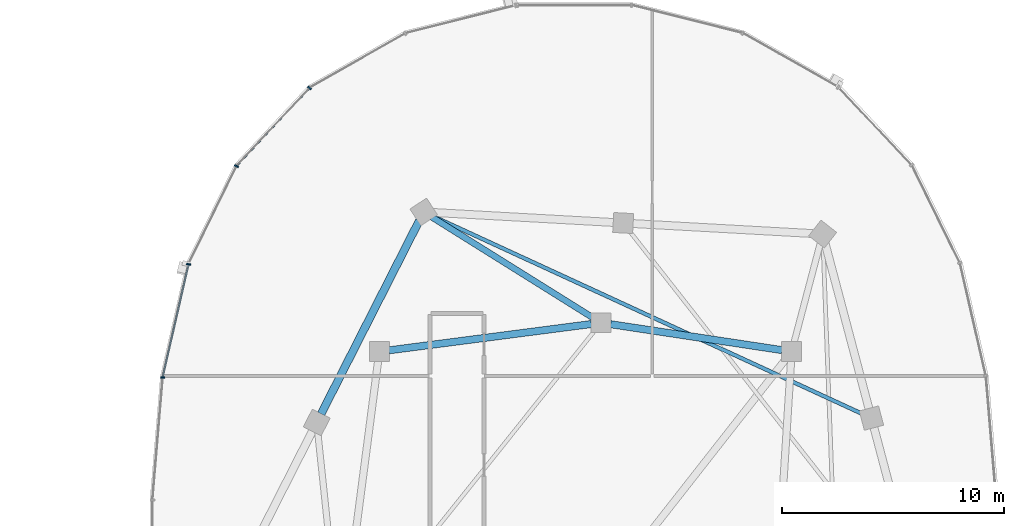
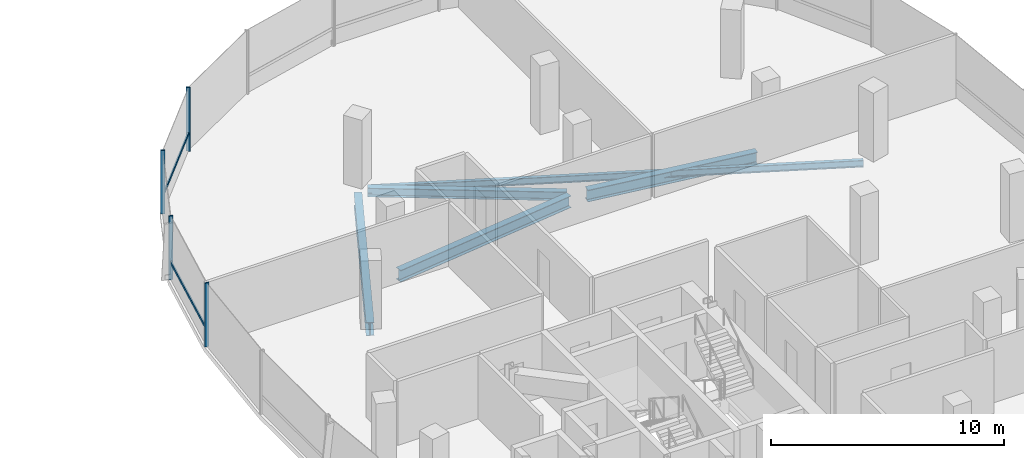
# One storey, part 11 of 25: 6 members, 5 beams, 1 element without a shape of its own.
"""IFC4 building model written with IfcOpenShell, lengths in metres."""

from ifc_helpers import new_model, si_unit, direction, frame, origin, origin_2d, place, context, subcontext, project, spatial, rectangle, i_section, extrude, material, material_profile, profile_set, type_object, element, aggregate, save


model = new_model("IFC4")

# Units and contexts
model_context = context("Model", 3, precision=1e-05, world=origin(), true_north=direction((0.0, 1.0)))
body_context = subcontext(model_context, "Body", "Model", "MODEL_VIEW")
ifc_project = project(units=[si_unit("LENGTHUNIT", "METRE"), si_unit("AREAUNIT", "SQUARE_METRE"), si_unit("VOLUMEUNIT", "CUBIC_METRE"), si_unit("PLANEANGLEUNIT", "RADIAN"), si_unit("MASSUNIT", "GRAM", prefix="KILO"), si_unit("THERMODYNAMICTEMPERATUREUNIT", "KELVIN"), si_unit("POWERUNIT", "WATT")], contexts=[model_context])

# Site, building, storey
site_placement = place(None, origin())
site = spatial("IfcSite", under=ifc_project, at=site_placement, CompositionType="ELEMENT")
building_placement = place(site_placement, origin())
building = spatial("IfcBuilding", under=site, at=building_placement, Name="Cundina Bronze Exchange", CompositionType="ELEMENT")
storey_placement = place(building_placement, frame((0.0, 0.0, 206.199951171875)))
storey = spatial("IfcBuildingStorey", under=building, at=storey_placement, Name="L54", CompositionType="ELEMENT", Elevation=206.199951171875)

# Beams
ifc_material_1 = material(Name="Steel ASTM A992 Grade 50", Category="steel")
ifc_material_profile_1 = material_profile(ifc_material_1, i_section(OverallWidth=0.280029296875, OverallDepth=0.462890625, WebThickness=0.0107421875, FlangeThickness=0.017333984375, FilletRadius=0.011962890625, at=origin_2d()), Name="W18X76", Category="steel")
ifc_profile_set_1 = profile_set([ifc_material_profile_1], Name="Steel ASTM A992 Grade 50")
beam_type_1 = type_object("IfcBeamType", Name="BM-FLR-W18A", PredefinedType="BEAM", material=ifc_profile_set_1)
beam_1_placement = place(storey_placement, frame((32.82861328125, 11.031982421875, -0.491455078125), z_axis=(-0.847995098703, 0.530004068452, 0.0), x_axis=(-0.530004068452, -0.847995098703, 0.0)))
element("IfcBeam", 1, at=beam_1_placement, inside=storey, type_object=beam_type_1, Name="L54 Leg E Chordal Floor Beam 12", PredefinedType="BEAM", context=body_context, shape_type="SweptSolid", body=[
    extrude(i_section(OverallWidth=0.280029296875, OverallDepth=0.462890625, WebThickness=0.0107421875, FlangeThickness=0.017333984375, FilletRadius=0.011962890625, at=origin_2d()), origin(), (0.0, 0.0, 1.0), 8.55810546875),
])
ifc_material_profile_2 = material_profile(ifc_material_1, i_section(OverallWidth=0.172119140625, OverallDepth=0.35791015625, WebThickness=0.0078125, FlangeThickness=0.01318359375, FilletRadius=0.010009765625, at=origin_2d()), Name="W14X38", Category="steel")
ifc_profile_set_2 = profile_set([ifc_material_profile_2], Name="Steel ASTM A992 Grade 50")
beam_type_2 = type_object("IfcBeamType", Name="BM-JST-W14", PredefinedType="JOIST", material=ifc_profile_set_2)
beam_2_placement = place(storey_placement, frame((45.002197265625, 6.68310546875, -0.43896484375), z_axis=(-0.908355026127, 0.418199888224, 0.0), x_axis=(-0.418199888224, -0.908355026127, 0.0)))
element("IfcBeam", 2, at=beam_2_placement, inside=storey, type_object=beam_type_2, Name="L54 Leg E Lobe Floor Joist 09-12", PredefinedType="JOIST", context=body_context, shape_type="SweptSolid", body=[
    extrude(i_section(OverallWidth=0.172119140625, OverallDepth=0.35791015625, WebThickness=0.0078125, FlangeThickness=0.01318359375, FilletRadius=0.010009765625, at=origin_2d()), origin(), (0.0, 0.0, 1.0), 21.362060546875),
])
ifc_material_profile_3 = material_profile(ifc_material_1, i_section(OverallWidth=0.324951171875, OverallDepth=0.615966796875, WebThickness=0.013916015625, FlangeThickness=0.021484375, FilletRadius=0.01611328125, at=origin_2d()), Name="W24X117", Category="steel")
ifc_profile_set_3 = profile_set([ifc_material_profile_3], Name="Steel ASTM A992 Grade 50")
beam_type_3 = type_object("IfcBeamType", Name="BM-RING-W24", PredefinedType="USERDEFINED", material=ifc_profile_set_3)
beam_3_placement = place(storey_placement, frame((41.366943359375, 9.5654296875, -0.56787109375), z_axis=(-0.988764903598, 0.149478979839, 0.0), x_axis=(-0.149478979839, -0.988764903598, 0.0)))
element("IfcBeam", 3, at=beam_3_placement, inside=storey, type_object=beam_type_3, Name="L54 E Inner Structural Ring Girder 05", ObjectType="GIRDER", PredefinedType="USERDEFINED", context=body_context, shape_type="SweptSolid", body=[
    extrude(i_section(OverallWidth=0.324951171875, OverallDepth=0.615966796875, WebThickness=0.013916015625, FlangeThickness=0.021484375, FilletRadius=0.01611328125, at=origin_2d()), origin(), (0.0, 0.0, 1.0), 7.82177734375),
])
beam_4_placement = place(storey_placement, frame((32.765625, 10.743408203125, -0.56787109375), z_axis=(-0.991656498582, -0.128908451316, 0.0), x_axis=(0.128908451316, -0.991656498582, 0.0)))
element("IfcBeam", 4, at=beam_4_placement, inside=storey, type_object=beam_type_3, Name="L54 E Inner Structural Ring Girder 06", ObjectType="GIRDER", PredefinedType="USERDEFINED", context=body_context, shape_type="SweptSolid", body=[
    extrude(i_section(OverallWidth=0.324951171875, OverallDepth=0.615966796875, WebThickness=0.013916015625, FlangeThickness=0.021484375, FilletRadius=0.01611328125, at=origin_2d()), origin(), (0.0, 0.0, 1.0), 9.208251953125),
])
ifc_material_profile_4 = material_profile(ifc_material_1, i_section(OverallWidth=0.35498046875, OverallDepth=0.695068359375, WebThickness=0.015380859375, FlangeThickness=0.02490234375, FilletRadius=0.01806640625, at=origin_2d()), Name="W27X146", Category="steel")
ifc_profile_set_4 = profile_set([ifc_material_profile_4], Name="Steel ASTM A992 Grade 50")
beam_type_4 = type_object("IfcBeamType", Name="BM-RING-W27", PredefinedType="USERDEFINED", material=ifc_profile_set_4)
beam_5_placement = place(storey_placement, frame((25.001708984375, 15.409423828125, -0.607421875), z_axis=(-0.452846871434, -0.891588308039, 0.0), x_axis=(0.891588308039, -0.452846871434, 0.0)))
element("IfcBeam", 5, at=beam_5_placement, inside=storey, type_object=beam_type_4, Name="L54 E Perimeter Ring Girder 12", ObjectType="GIRDER", PredefinedType="USERDEFINED", context=body_context, shape_type="SweptSolid", body=[
    extrude(i_section(OverallWidth=0.35498046875, OverallDepth=0.695068359375, WebThickness=0.015380859375, FlangeThickness=0.02490234375, FilletRadius=0.01806640625, at=origin_2d()), origin(), (0.0, 0.0, 1.0), 9.779052734375),
])

# Curtain wall, members
ifc_material_2 = material(Name="Anodised Bronze Aluminium 6063-T6", Category="aluminium")
curtain_wall_type = type_object("IfcCurtainWallType", Name="CWS-UPP-OFF", PredefinedType="NOTDEFINED", material=ifc_material_2)
curtain_wall_placement = place(storey_placement, origin())
curtain_wall = element("IfcCurtainWall", 6, at=curtain_wall_placement, inside=storey, type_object=curtain_wall_type, Name="L54 CW-05 Curtain Wall Run CWR-L54-E2", PredefinedType="NOTDEFINED")
ifc_material_profile_5 = material_profile(ifc_material_2, rectangle(XDim=0.070068359375, YDim=0.18994140625, at=origin_2d()), Name="AL70X190", Category="aluminium")
ifc_profile_set_5 = profile_set([ifc_material_profile_5], Name="Anodised Bronze Aluminium 6063-T6")
member_type_1 = type_object("IfcMemberType", Name="CWM-MUL-190", PredefinedType="MULLION", material=ifc_profile_set_5)
member_1_placement = place(storey_placement, frame((20.05126953125, 21.392578125, 0.0), z_axis=(0.0, 0.0, 1.0), x_axis=(-0.684292606175, -0.729207535023, 0.0)))
member_1 = element("IfcMember", 7, at=member_1_placement, type_object=member_type_1, Name="CW-05 Mullion 3", PredefinedType="MULLION", context=body_context, shape_type="SweptSolid", body=[
    extrude(rectangle(XDim=0.070068359375, YDim=0.18994140625, at=origin_2d()), origin(), (0.0, 0.0, 1.0), 3.340087890625),
])
member_2_placement = place(storey_placement, frame((16.754638671875, 17.866455078125, 0.0), z_axis=(0.0, 0.0, 1.0), x_axis=(-0.440566004113, -0.897720221461, 0.0)))
member_2 = element("IfcMember", 8, at=member_2_placement, type_object=member_type_1, Name="CW-05 Mullion 4", PredefinedType="MULLION", context=body_context, shape_type="SweptSolid", body=[
    extrude(rectangle(XDim=0.070068359375, YDim=0.18994140625, at=origin_2d()), origin(), (0.0, 0.0, 1.0), 3.340087890625),
])
member_3_placement = place(storey_placement, frame((14.59228515625, 13.440673828125, 0.0), z_axis=(0.0, 0.0, 1.0), x_axis=(-0.223250116011, -0.974761194191, 0.0)))
member_3 = element("IfcMember", 9, at=member_3_placement, type_object=member_type_1, Name="CW-05 Mullion 5", PredefinedType="MULLION", context=body_context, shape_type="SweptSolid", body=[
    extrude(rectangle(XDim=0.070068359375, YDim=0.18994140625, at=origin_2d()), origin(), (0.0, 0.0, 1.0), 3.340087890625),
])
member_4_placement = place(storey_placement, frame((13.427490234375, 8.33056640625, 0.0), z_axis=(0.0, 0.0, 1.0), x_axis=(-0.083677843332, -0.99649285925, 0.0)))
member_4 = element("IfcMember", 10, at=member_4_placement, type_object=member_type_1, Name="CW-05 Mullion 6", PredefinedType="MULLION", context=body_context, shape_type="SweptSolid", body=[
    extrude(rectangle(XDim=0.070068359375, YDim=0.18994140625, at=origin_2d()), origin(), (0.0, 0.0, 1.0), 3.340087890625),
])
ifc_material_profile_6 = material_profile(ifc_material_2, rectangle(XDim=0.06494140625, YDim=0.14990234375, at=origin_2d()), Name="AL65X150", Category="aluminium")
ifc_profile_set_6 = profile_set([ifc_material_profile_6], Name="Anodised Bronze Aluminium 6063-T6")
member_type_2 = type_object("IfcMemberType", Name="CWM-TRN-150", PredefinedType="USERDEFINED", material=ifc_profile_set_6)
member_5_placement = place(storey_placement, frame((20.02490234375, 21.364501953125, 0.920166015625), z_axis=(-0.684336416554, -0.729166420633, 0.0), x_axis=(0.729166420633, -0.684336416554, 0.0)))
member_5 = element("IfcMember", 11, at=member_5_placement, type_object=member_type_2, Name="CW-05 Spandrel Transom 3", ObjectType="TRANSOM", PredefinedType="USERDEFINED", context=body_context, shape_type="SweptSolid", body=[
    extrude(rectangle(XDim=0.06494140625, YDim=0.14990234375, at=origin_2d()), origin(), (0.0, 0.0, 1.0), 4.76513671875),
])
member_6_placement = place(storey_placement, frame((14.58349609375, 13.403076171875, 0.920166015625), z_axis=(-0.22328343579, -0.974753562344, 0.0), x_axis=(0.974753562344, -0.22328343579, 0.0)))
member_6 = element("IfcMember", 12, at=member_6_placement, type_object=member_type_2, Name="CW-05 Spandrel Transom 5", ObjectType="TRANSOM", PredefinedType="USERDEFINED", context=body_context, shape_type="SweptSolid", body=[
    extrude(rectangle(XDim=0.06494140625, YDim=0.14990234375, at=origin_2d()), origin(), (0.0, 0.0, 1.0), 5.159912109375),
])
aggregate(curtain_wall, [member_1, member_5, member_2, member_3, member_6, member_4])

save(model, "model.ifc")
